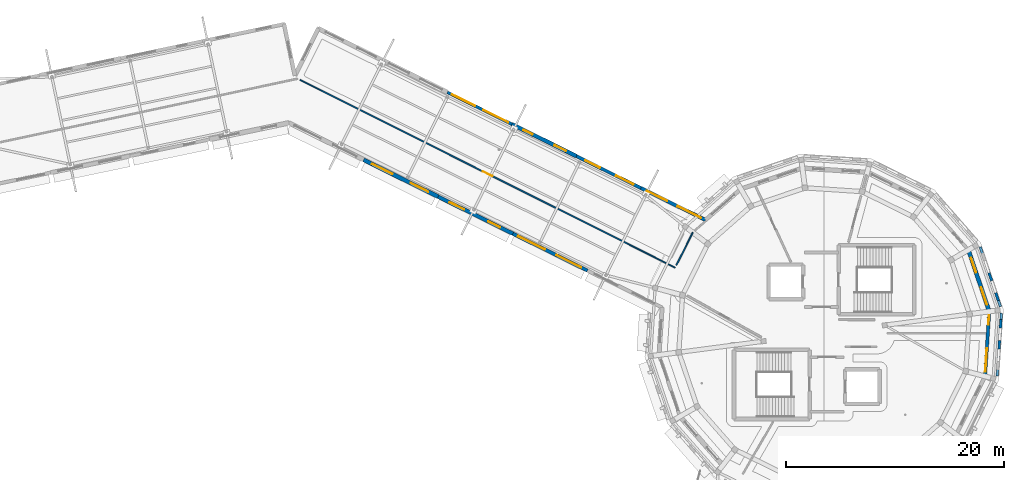
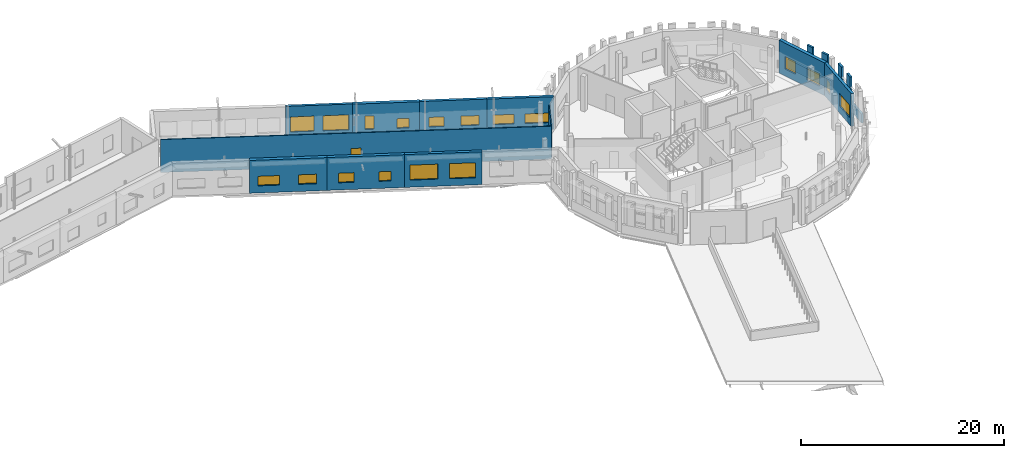
# One storey, part 51 of 68: 18 windows, 17 walls, 1 door, 19 openings.
"""IFC4 building model written with IfcOpenShell, lengths in metres."""

from ifc_helpers import new_model, si_unit, direction, frame, frame_2d, origin, place, context, subcontext, project, spatial, rectangle, extrude, material, layer, layer_set, type_object, element, fill, save


model = new_model("IFC4")

# Units and contexts
model_context = context("Model", 3, precision=1e-05, world=origin(), true_north=direction((0.0, 1.0)))
body_context = subcontext(model_context, "Body", "Model", "MODEL_VIEW")
ifc_project = project(units=[si_unit("LENGTHUNIT", "METRE"), si_unit("AREAUNIT", "SQUARE_METRE"), si_unit("VOLUMEUNIT", "CUBIC_METRE"), si_unit("PLANEANGLEUNIT", "RADIAN"), si_unit("MASSUNIT", "GRAM", prefix="KILO")], contexts=[model_context])

# Site, building, storey
site_placement = place(None, origin())
site = spatial("IfcSite", under=ifc_project, at=site_placement, CompositionType="ELEMENT")
building_placement = place(site_placement, origin())
building = spatial("IfcBuilding", under=site, at=building_placement, Name="Wrenclough Park School", CompositionType="ELEMENT")
storey_placement = place(building_placement, frame((0.0, 0.0, 12.60009765625)))
storey = spatial("IfcBuildingStorey", under=building, at=storey_placement, Name="L03", CompositionType="ELEMENT", Elevation=12.60009765625)

# Walls
ifc_material_1 = material(Name="Perforated open-bond Staffordshire and Manchester brick screen pier", Category="masonry")
ifc_layer_1 = layer(ifc_material_1, 0.2451171875)
ifc_layer_set_1 = layer_set([ifc_layer_1], Name="Perforated open-bond Staffordshire and Manchester brick screen pier")
wall_type_1 = type_object("IfcWallType", Name="ENV-BS-PR245", PredefinedType="ELEMENTEDWALL", material=ifc_layer_set_1)
for number, where, z_axis, x_axis, name in (
    (1, (190.48828125, 96.490478515625, 1.08984375), (0.0, 0.0, 1.0), (-0.321522655386, 0.946901886192, 0.0), "D5 L03 perforated brick screen pier 0847"),
    (2, (189.86865234375, 98.315673828125, 1.08984375), (0.0, 0.0, 1.0), (-0.32123461411, 0.946999642396, 0.0), "D5 L03 perforated brick screen pier 0848"),
    (3, (190.541748046875, 92.06787109375, 1.08984375), (0.0, 0.0, 1.0), (0.065538124105, 0.997850066036, 0.0), "D5 L03 perforated brick screen pier 0882"),
    (4, (190.667724609375, 93.9912109375, 1.08984375), (0.0, 0.0, 1.0), (0.065538124105, 0.997850066036, 0.0), "D5 L03 perforated brick screen pier 0883"),
):
    element("IfcWall", number, at=place(storey_placement, frame(where, z_axis=z_axis, x_axis=x_axis)), inside=storey, type_object=wall_type_1, Name=name, PredefinedType="ELEMENTEDWALL", context=body_context, shape_type="SweptSolid", body=[
        extrude(rectangle(XDim=0.760009765625, YDim=0.2451171875, at=frame_2d((0.3798828125, 0.0))), origin(), (0.0, 0.0, 1.0), 2.85009765625),
    ])
ifc_material_2 = material(Name="Open-bond Manchester multi-stock brick spandrel screen", Category="masonry")
ifc_layer_2 = layer(ifc_material_2, 0.22509765625)
ifc_layer_set_2 = layer_set([ifc_layer_2], Name="Open-bond Manchester multi-stock brick spandrel screen")
wall_type_2 = type_object("IfcWallType", Name="ENV-BS-SP225", PredefinedType="ELEMENTEDWALL", material=ifc_layer_set_2)
wall_1_placement = place(storey_placement, frame((190.67578125, 95.937744140625, 0.0), z_axis=(0.0, 0.0, 1.0), x_axis=(-0.321403850935, 0.946942218197, 0.0)))
element("IfcWall", 5, at=wall_1_placement, inside=storey, type_object=wall_type_2, Name="D5 L03 open-bond brick screen spandrel 0227", PredefinedType="ELEMENTEDWALL", context=body_context, shape_type="SweptSolid", body=[
    extrude(rectangle(XDim=5.7822265625, YDim=0.22509765625, at=frame_2d((2.89111328125, 0.0))), origin(), (0.0, 0.0, 1.0), 1.08984375),
])
wall_2_placement = place(storey_placement, frame((190.37744140625, 89.56201171875, 0.0), z_axis=(0.0, 0.0, 1.0), x_axis=(0.065400850615, 0.997859072584, 0.0)))
element("IfcWall", 6, at=wall_2_placement, inside=storey, type_object=wall_type_2, Name="D5 L03 open-bond brick screen spandrel 0239", PredefinedType="ELEMENTEDWALL", context=body_context, shape_type="SweptSolid", body=[
    extrude(rectangle(XDim=5.782470703125, YDim=0.22509765625, at=frame_2d((2.89111328125, 0.0))), origin(), (0.0, 0.0, 1.0), 1.08984375),
])

# Wall, openings, windows
ifc_material_3 = material(Name="Link wing brick-faced cavity wall Concrete C32/40", Category="masonry")
ifc_layer_3 = layer(ifc_material_3, 0.27490234375)
ifc_layer_set_3 = layer_set([ifc_layer_3], Name="Link wing brick-faced cavity wall Concrete C32/40")
wall_type_3 = type_object("IfcWallType", Name="ENV-EW-275", PredefinedType="SOLIDWALL", material=ifc_layer_set_3)
wall_3_placement = place(storey_placement, frame((139.934814453125, 115.602783203125, 0.0), z_axis=(0.0, 0.0, 1.0), x_axis=(0.896274950862, -0.443498830277, 0.0)))
wall_3 = element("IfcWall", 7, at=wall_3_placement, inside=storey, type_object=wall_type_3, Name="L03 insulated brick external wall 0286", PredefinedType="SOLIDWALL", context=body_context, shape_type="SweptSolid", body=[
    extrude(rectangle(XDim=6.605224609375, YDim=0.27490234375, at=frame_2d((3.302734375, 0.0))), origin(), (0.0, 0.0, 1.0), 3.93994140625),
])
opening_1_placement = place(wall_3_placement, frame((0.476318359375, 0.0, 0.85009765625)))
opening_1 = element("IfcOpeningElement", 8, at=opening_1_placement, cuts=wall_3, Name="Opening WN-34", PredefinedType="OPENING", context=body_context, shape_type="SweptSolid", body=[
    extrude(rectangle(XDim=2.35009765625, YDim=1.800048828125, at=frame_2d((1.175048828125, 0.89990234375))), frame((0.0, 0.1474609375, 0.0), z_axis=(0.0, -1.0, 0.0), x_axis=(1.0, 0.0, 0.0)), (0.0, 0.0, 1.0), 0.294921875),
])
opening_2_placement = place(wall_3_placement, frame((3.67919921875, 0.0, 0.85009765625)))
opening_2 = element("IfcOpeningElement", 9, at=opening_2_placement, cuts=wall_3, Name="Opening WN-35", PredefinedType="OPENING", context=body_context, shape_type="SweptSolid", body=[
    extrude(rectangle(XDim=2.550048828125, YDim=1.800048828125, at=frame_2d((1.27490234375, 0.89990234375))), frame((0.0, 0.1474609375, 0.0), z_axis=(0.0, -1.0, 0.0), x_axis=(1.0, 0.0, 0.0)), (0.0, 0.0, 1.0), 0.294921875),
])
ifc_material_4 = material(Name="Thermally broken aluminium and double-glazed low-e glass", Category="aluminium")
window_type_1 = type_object("IfcWindowType", Name="ENV-WN-34", PartitioningType="DOUBLE_PANEL_VERTICAL", PredefinedType="WINDOW", material=ifc_material_4)
window_1_placement = place(opening_1_placement, origin())
window_1 = element("IfcWindow", 10, at=window_1_placement, inside=storey, type_object=window_type_1, Name="L03 scheduled facade window 0481", OverallHeight=1.800048828125, OverallWidth=2.35009765625, PartitioningType="SINGLE_PANEL", PredefinedType="WINDOW", context=body_context, shape_type="SweptSolid", body=[
    extrude(rectangle(XDim=2.35009765625, YDim=1.800048828125, at=frame_2d((1.175048828125, 0.89990234375))), frame((0.0, 0.030029296875, 0.0), z_axis=(0.0, -1.0, 0.0), x_axis=(1.0, 0.0, 0.0)), (0.0, 0.0, 1.0), 0.06005859375),
])
fill(opening_1, window_1)
window_type_2 = type_object("IfcWindowType", Name="ENV-WN-35", PartitioningType="DOUBLE_PANEL_VERTICAL", PredefinedType="WINDOW", material=ifc_material_4)
window_2_placement = place(opening_2_placement, origin())
window_2 = element("IfcWindow", 11, at=window_2_placement, inside=storey, type_object=window_type_2, Name="L03 scheduled facade window 0482", OverallHeight=1.800048828125, OverallWidth=2.550048828125, PartitioningType="SINGLE_PANEL", PredefinedType="WINDOW", context=body_context, shape_type="SweptSolid", body=[
    extrude(rectangle(XDim=2.550048828125, YDim=1.800048828125, at=frame_2d((1.27490234375, 0.89990234375))), frame((0.0, 0.030029296875, 0.0), z_axis=(0.0, -1.0, 0.0), x_axis=(1.0, 0.0, 0.0)), (0.0, 0.0, 1.0), 0.06005859375),
])
fill(opening_2, window_2)

ifc_material_5 = material(Name="Manchester multi-stock brick and Concrete C32/40 inner leaf", Category="masonry")
ifc_layer_4 = layer(ifc_material_5, 0.300048828125)
ifc_layer_set_4 = layer_set([ifc_layer_4], Name="Manchester multi-stock brick and Concrete C32/40 inner leaf")
wall_type_4 = type_object("IfcWallType", Name="ENV-EW-300", PredefinedType="SOLIDWALL", material=ifc_layer_set_4)
wall_4_placement = place(storey_placement, frame((151.775390625, 109.74365234375, 0.0), z_axis=(0.0, 0.0, 1.0), x_axis=(0.896274950862, -0.443498830277, 0.0)))
wall_4 = element("IfcWall", 12, at=wall_4_placement, inside=storey, type_object=wall_type_4, Name="L03 insulated brick external wall 0288", PredefinedType="SOLIDWALL", context=body_context, shape_type="SweptSolid", body=[
    extrude(rectangle(XDim=6.605224609375, YDim=0.300048828125, at=frame_2d((3.302734375, 0.0))), origin(), (0.0, 0.0, 1.0), 3.93994140625),
])
opening_3_placement = place(wall_4_placement, frame((0.9013671875, 0.0, 0.85009765625)))
opening_3 = element("IfcOpeningElement", 13, at=opening_3_placement, cuts=wall_4, Name="Opening WN-38", PredefinedType="OPENING", context=body_context, shape_type="SweptSolid", body=[
    extrude(rectangle(XDim=1.5, YDim=1.14990234375, at=frame_2d((0.75, 0.574951171875))), frame((0.0, 0.159912109375, 0.0), z_axis=(0.0, -1.0, 0.0), x_axis=(1.0, 0.0, 0.0)), (0.0, 0.0, 1.0), 0.320068359375),
])
opening_4_placement = place(wall_4_placement, frame((4.053955078125, 0.0, 0.85009765625)))
opening_4 = element("IfcOpeningElement", 14, at=opening_4_placement, cuts=wall_4, Name="Opening WN-39", PredefinedType="OPENING", context=body_context, shape_type="SweptSolid", body=[
    extrude(rectangle(XDim=1.800048828125, YDim=1.14990234375, at=frame_2d((0.89990234375, 0.574951171875))), frame((0.0, 0.159912109375, 0.0), z_axis=(0.0, -1.0, 0.0), x_axis=(1.0, 0.0, 0.0)), (0.0, 0.0, 1.0), 0.320068359375),
])
window_type_3 = type_object("IfcWindowType", Name="ENV-WN-38", PartitioningType="DOUBLE_PANEL_VERTICAL", PredefinedType="WINDOW", material=ifc_material_4)
window_3_placement = place(opening_3_placement, origin())
window_3 = element("IfcWindow", 15, at=window_3_placement, inside=storey, type_object=window_type_3, Name="L03 scheduled facade window 0485", OverallHeight=1.14990234375, OverallWidth=1.5, PartitioningType="SINGLE_PANEL", PredefinedType="WINDOW", context=body_context, shape_type="SweptSolid", body=[
    extrude(rectangle(XDim=1.5, YDim=1.14990234375, at=frame_2d((0.75, 0.574951171875))), frame((0.0, 0.030029296875, 0.0), z_axis=(0.0, -1.0, 0.0), x_axis=(1.0, 0.0, 0.0)), (0.0, 0.0, 1.0), 0.06005859375),
])
fill(opening_3, window_3)
window_type_4 = type_object("IfcWindowType", Name="ENV-WN-39", PartitioningType="DOUBLE_PANEL_VERTICAL", PredefinedType="WINDOW", material=ifc_material_4)
window_4_placement = place(opening_4_placement, origin())
window_4 = element("IfcWindow", 16, at=window_4_placement, inside=storey, type_object=window_type_4, Name="L03 scheduled facade window 0486", OverallHeight=1.14990234375, OverallWidth=1.800048828125, PartitioningType="SINGLE_PANEL", PredefinedType="WINDOW", context=body_context, shape_type="SweptSolid", body=[
    extrude(rectangle(XDim=1.800048828125, YDim=1.14990234375, at=frame_2d((0.89990234375, 0.574951171875))), frame((0.0, 0.030029296875, 0.0), z_axis=(0.0, -1.0, 0.0), x_axis=(1.0, 0.0, 0.0)), (0.0, 0.0, 1.0), 0.06005859375),
])
fill(opening_4, window_4)

wall_5_placement = place(storey_placement, frame((189.64697265625, 95.494140625, 0.0), z_axis=(0.0, 0.0, 1.0), x_axis=(-0.065407169492, -0.997858658418, 0.0)))
wall_5 = element("IfcWall", 17, at=wall_5_placement, inside=storey, type_object=wall_type_4, Name="L03 insulated brick external wall 0296", PredefinedType="SOLIDWALL", context=body_context, shape_type="SweptSolid", body=[
    extrude(rectangle(XDim=5.9609375, YDim=0.300048828125, at=frame_2d((2.98046875, 0.0))), origin(), (0.0, 0.0, 1.0), 3.93994140625),
])
opening_5_placement = place(wall_5_placement, frame((0.35009765625, 0.0, 0.85009765625)))
opening_5 = element("IfcOpeningElement", 18, at=opening_5_placement, cuts=wall_5, Name="Opening WN-01", PredefinedType="OPENING", context=body_context, shape_type="SweptSolid", body=[
    extrude(rectangle(XDim=0.85009765625, YDim=1.39990234375, at=frame_2d((0.425048828125, 0.699951171875))), frame((0.0, 0.159912109375, 0.0), z_axis=(0.0, -1.0, 0.0), x_axis=(1.0, 0.0, 0.0)), (0.0, 0.0, 1.0), 0.320068359375),
])
opening_6_placement = place(wall_5_placement, frame((3.395751953125, 0.0, 0.85009765625)))
opening_6 = element("IfcOpeningElement", 19, at=opening_6_placement, cuts=wall_5, Name="Opening WN-54", PredefinedType="OPENING", context=body_context, shape_type="SweptSolid", body=[
    extrude(rectangle(XDim=2.14990234375, YDim=1.5, at=frame_2d((1.074951171875, 0.75))), frame((0.0, 0.159912109375, 0.0), z_axis=(0.0, -1.0, 0.0), x_axis=(1.0, 0.0, 0.0)), (0.0, 0.0, 1.0), 0.320068359375),
])
window_type_5 = type_object("IfcWindowType", Name="ENV-WN-01", PartitioningType="SINGLE_PANEL", PredefinedType="WINDOW", material=ifc_material_4)
window_5_placement = place(opening_5_placement, origin())
window_5 = element("IfcWindow", 20, at=window_5_placement, inside=storey, type_object=window_type_5, Name="L03 scheduled facade window 0500", OverallHeight=1.39990234375, OverallWidth=0.85009765625, PartitioningType="SINGLE_PANEL", PredefinedType="WINDOW", context=body_context, shape_type="SweptSolid", body=[
    extrude(rectangle(XDim=0.85009765625, YDim=1.39990234375, at=frame_2d((0.425048828125, 0.699951171875))), frame((0.0, 0.030029296875, 0.0), z_axis=(0.0, -1.0, 0.0), x_axis=(1.0, 0.0, 0.0)), (0.0, 0.0, 1.0), 0.06005859375),
])
fill(opening_5, window_5)
window_type_6 = type_object("IfcWindowType", Name="ENV-WN-54", PartitioningType="DOUBLE_PANEL_VERTICAL", PredefinedType="WINDOW", material=ifc_material_4)
window_6_placement = place(opening_6_placement, origin())
window_6 = element("IfcWindow", 21, at=window_6_placement, inside=storey, type_object=window_type_6, Name="L03 scheduled facade window 0501", OverallHeight=1.5, OverallWidth=2.14990234375, PartitioningType="SINGLE_PANEL", PredefinedType="WINDOW", context=body_context, shape_type="SweptSolid", body=[
    extrude(rectangle(XDim=2.14990234375, YDim=1.5, at=frame_2d((1.074951171875, 0.75))), frame((0.0, 0.030029296875, 0.0), z_axis=(0.0, -1.0, 0.0), x_axis=(1.0, 0.0, 0.0)), (0.0, 0.0, 1.0), 0.06005859375),
])
fill(opening_6, window_6)

ifc_layer_5 = layer(ifc_material_5, 0.324951171875)
ifc_layer_set_5 = layer_set([ifc_layer_5], Name="Manchester multi-stock brick and Concrete C32/40 inner leaf")
wall_type_5 = type_object("IfcWallType", Name="ENV-EW-325", PredefinedType="SOLIDWALL", material=ifc_layer_set_5)
wall_6_placement = place(storey_placement, frame((152.790771484375, 99.244140625, 0.0), z_axis=(0.0, 0.0, 1.0), x_axis=(-0.896260326182, 0.443528384336, 0.0)))
wall_6 = element("IfcWall", 22, at=wall_6_placement, inside=storey, type_object=wall_type_5, Name="L03 insulated brick external wall 0257", PredefinedType="SOLIDWALL", context=body_context, shape_type="SweptSolid", body=[
    extrude(rectangle(XDim=7.6396484375, YDim=0.324951171875, at=frame_2d((3.81982421875, 0.0))), origin(), (0.0, 0.0, 1.0), 3.93994140625),
])
opening_7_placement = place(wall_6_placement, frame((0.635009765625, 0.0, 0.85009765625)))
opening_7 = element("IfcOpeningElement", 23, at=opening_7_placement, cuts=wall_6, Name="Opening WN-35", PredefinedType="OPENING", context=body_context, shape_type="SweptSolid", body=[
    extrude(rectangle(XDim=2.550048828125, YDim=1.800048828125, at=frame_2d((1.27490234375, 0.89990234375))), frame((0.0, 0.17236328125, 0.0), z_axis=(0.0, -1.0, 0.0), x_axis=(1.0, 0.0, 0.0)), (0.0, 0.0, 1.0), 0.344970703125),
])
opening_8_placement = place(wall_6_placement, frame((4.35498046875, 0.0, 0.85009765625)))
opening_8 = element("IfcOpeningElement", 24, at=opening_8_placement, cuts=wall_6, Name="Opening WN-36", PredefinedType="OPENING", context=body_context, shape_type="SweptSolid", body=[
    extrude(rectangle(XDim=2.75, YDim=1.800048828125, at=frame_2d((1.375, 0.89990234375))), frame((0.0, 0.17236328125, 0.0), z_axis=(0.0, -1.0, 0.0), x_axis=(1.0, 0.0, 0.0)), (0.0, 0.0, 1.0), 0.344970703125),
])
window_7_placement = place(opening_7_placement, origin())
window_7 = element("IfcWindow", 25, at=window_7_placement, inside=storey, type_object=window_type_2, Name="L03 scheduled facade window 0426", OverallHeight=1.800048828125, OverallWidth=2.550048828125, PartitioningType="SINGLE_PANEL", PredefinedType="WINDOW", context=body_context, shape_type="SweptSolid", body=[
    extrude(rectangle(XDim=2.550048828125, YDim=1.800048828125, at=frame_2d((1.27490234375, 0.89990234375))), frame((0.0, 0.030029296875, 0.0), z_axis=(0.0, -1.0, 0.0), x_axis=(1.0, 0.0, 0.0)), (0.0, 0.0, 1.0), 0.06005859375),
])
fill(opening_7, window_7)
window_type_7 = type_object("IfcWindowType", Name="ENV-WN-36", PartitioningType="DOUBLE_PANEL_VERTICAL", PredefinedType="WINDOW", material=ifc_material_4)
window_8_placement = place(opening_8_placement, origin())
window_8 = element("IfcWindow", 26, at=window_8_placement, inside=storey, type_object=window_type_7, Name="L03 scheduled facade window 0427", OverallHeight=1.800048828125, OverallWidth=2.75, PartitioningType="SINGLE_PANEL", PredefinedType="WINDOW", context=body_context, shape_type="SweptSolid", body=[
    extrude(rectangle(XDim=2.75, YDim=1.800048828125, at=frame_2d((1.375, 0.89990234375))), frame((0.0, 0.030029296875, 0.0), z_axis=(0.0, -1.0, 0.0), x_axis=(1.0, 0.0, 0.0)), (0.0, 0.0, 1.0), 0.06005859375),
])
fill(opening_8, window_8)

wall_7_placement = place(storey_placement, frame((157.695556640625, 106.814208984375, 0.0), z_axis=(0.0, 0.0, 1.0), x_axis=(0.896260258603, -0.443528520897, 0.0)))
wall_7 = element("IfcWall", 27, at=wall_7_placement, inside=storey, type_object=wall_type_5, Name="L03 insulated brick external wall 0289", PredefinedType="SOLIDWALL", context=body_context, shape_type="SweptSolid", body=[
    extrude(rectangle(XDim=6.60546875, YDim=0.324951171875, at=frame_2d((3.302734375, 0.0))), origin(), (0.0, 0.0, 1.0), 3.93994140625),
])
opening_9_placement = place(wall_7_placement, frame((0.601318359375, 0.0, 0.85009765625)))
opening_9 = element("IfcOpeningElement", 28, at=opening_9_placement, cuts=wall_7, Name="Opening WN-40", PredefinedType="OPENING", context=body_context, shape_type="SweptSolid", body=[
    extrude(rectangle(XDim=2.10009765625, YDim=1.14990234375, at=frame_2d((1.050048828125, 0.574951171875))), frame((0.0, 0.17236328125, 0.0), z_axis=(0.0, -1.0, 0.0), x_axis=(1.0, 0.0, 0.0)), (0.0, 0.0, 1.0), 0.344970703125),
])
opening_10_placement = place(wall_7_placement, frame((3.754150390625, 0.0, 0.85009765625)))
opening_10 = element("IfcOpeningElement", 29, at=opening_10_placement, cuts=wall_7, Name="Opening WN-41", PredefinedType="OPENING", context=body_context, shape_type="SweptSolid", body=[
    extrude(rectangle(XDim=2.39990234375, YDim=1.14990234375, at=frame_2d((1.199951171875, 0.574951171875))), frame((0.0, 0.17236328125, 0.0), z_axis=(0.0, -1.0, 0.0), x_axis=(1.0, 0.0, 0.0)), (0.0, 0.0, 1.0), 0.344970703125),
])
window_type_8 = type_object("IfcWindowType", Name="ENV-WN-40", PartitioningType="DOUBLE_PANEL_VERTICAL", PredefinedType="WINDOW", material=ifc_material_4)
window_9_placement = place(opening_9_placement, origin())
window_9 = element("IfcWindow", 30, at=window_9_placement, inside=storey, type_object=window_type_8, Name="L03 scheduled facade window 0487", OverallHeight=1.14990234375, OverallWidth=2.10009765625, PartitioningType="SINGLE_PANEL", PredefinedType="WINDOW", context=body_context, shape_type="SweptSolid", body=[
    extrude(rectangle(XDim=2.10009765625, YDim=1.14990234375, at=frame_2d((1.050048828125, 0.574951171875))), frame((0.0, 0.030029296875, 0.0), z_axis=(0.0, -1.0, 0.0), x_axis=(1.0, 0.0, 0.0)), (0.0, 0.0, 1.0), 0.06005859375),
])
fill(opening_9, window_9)
window_type_9 = type_object("IfcWindowType", Name="ENV-WN-41", PartitioningType="DOUBLE_PANEL_VERTICAL", PredefinedType="WINDOW", material=ifc_material_4)
window_10_placement = place(opening_10_placement, origin())
window_10 = element("IfcWindow", 31, at=window_10_placement, inside=storey, type_object=window_type_9, Name="L03 scheduled facade window 0488", OverallHeight=1.14990234375, OverallWidth=2.39990234375, PartitioningType="SINGLE_PANEL", PredefinedType="WINDOW", context=body_context, shape_type="SweptSolid", body=[
    extrude(rectangle(XDim=2.39990234375, YDim=1.14990234375, at=frame_2d((1.199951171875, 0.574951171875))), frame((0.0, 0.030029296875, 0.0), z_axis=(0.0, -1.0, 0.0), x_axis=(1.0, 0.0, 0.0)), (0.0, 0.0, 1.0), 0.06005859375),
])
fill(opening_10, window_10)

ifc_material_6 = material(Name="Staffordshire blue-grey brick and Concrete C35/45 inner leaf", Category="masonry")
ifc_layer_6 = layer(ifc_material_6, 0.35009765625)
ifc_layer_set_6 = layer_set([ifc_layer_6], Name="Staffordshire blue-grey brick and Concrete C35/45 inner leaf")
wall_type_6 = type_object("IfcWallType", Name="ENV-EW-350", PredefinedType="SOLIDWALL", material=ifc_layer_set_6)
wall_8_placement = place(storey_placement, frame((145.943603515625, 102.632568359375, 0.0), z_axis=(0.0, 0.0, 1.0), x_axis=(-0.896266612371, 0.443515681289, 0.0)))
wall_8 = element("IfcWall", 32, at=wall_8_placement, inside=storey, type_object=wall_type_6, Name="L03 insulated brick external wall 0258", PredefinedType="SOLIDWALL", context=body_context, shape_type="SweptSolid", body=[
    extrude(rectangle(XDim=7.639892578125, YDim=0.35009765625, at=frame_2d((3.81982421875, 0.0))), origin(), (0.0, 0.0, 1.0), 3.93994140625),
])
opening_11_placement = place(wall_8_placement, frame((1.31005859375, 0.0, 0.85009765625)))
opening_11 = element("IfcOpeningElement", 33, at=opening_11_placement, cuts=wall_8, Name="Opening WN-37", PredefinedType="OPENING", context=body_context, shape_type="SweptSolid", body=[
    extrude(rectangle(XDim=1.199951171875, YDim=1.14990234375, at=frame_2d((0.60009765625, 0.574951171875))), frame((0.0, 0.18505859375, 0.0), z_axis=(0.0, -1.0, 0.0), x_axis=(1.0, 0.0, 0.0)), (0.0, 0.0, 1.0), 0.3701171875),
])
opening_12_placement = place(wall_8_placement, frame((4.97998046875, 0.0, 0.85009765625)))
opening_12 = element("IfcOpeningElement", 34, at=opening_12_placement, cuts=wall_8, Name="Opening WN-38", PredefinedType="OPENING", context=body_context, shape_type="SweptSolid", body=[
    extrude(rectangle(XDim=1.5, YDim=1.14990234375, at=frame_2d((0.75, 0.574951171875))), frame((0.0, 0.18505859375, 0.0), z_axis=(0.0, -1.0, 0.0), x_axis=(1.0, 0.0, 0.0)), (0.0, 0.0, 1.0), 0.3701171875),
])
window_type_10 = type_object("IfcWindowType", Name="ENV-WN-37", PartitioningType="SINGLE_PANEL", PredefinedType="WINDOW", material=ifc_material_4)
window_11_placement = place(opening_11_placement, origin())
window_11 = element("IfcWindow", 35, at=window_11_placement, inside=storey, type_object=window_type_10, Name="L03 scheduled facade window 0428", OverallHeight=1.14990234375, OverallWidth=1.199951171875, PartitioningType="SINGLE_PANEL", PredefinedType="WINDOW", context=body_context, shape_type="SweptSolid", body=[
    extrude(rectangle(XDim=1.199951171875, YDim=1.14990234375, at=frame_2d((0.60009765625, 0.574951171875))), frame((0.0, 0.030029296875, 0.0), z_axis=(0.0, -1.0, 0.0), x_axis=(1.0, 0.0, 0.0)), (0.0, 0.0, 1.0), 0.06005859375),
])
fill(opening_11, window_11)
window_12_placement = place(opening_12_placement, origin())
window_12 = element("IfcWindow", 36, at=window_12_placement, inside=storey, type_object=window_type_3, Name="L03 scheduled facade window 0429", OverallHeight=1.14990234375, OverallWidth=1.5, PartitioningType="SINGLE_PANEL", PredefinedType="WINDOW", context=body_context, shape_type="SweptSolid", body=[
    extrude(rectangle(XDim=1.5, YDim=1.14990234375, at=frame_2d((0.75, 0.574951171875))), frame((0.0, 0.030029296875, 0.0), z_axis=(0.0, -1.0, 0.0), x_axis=(1.0, 0.0, 0.0)), (0.0, 0.0, 1.0), 0.06005859375),
])
fill(opening_12, window_12)

ifc_material_7 = material(Name="Faceted courtyard brick-cavity wall Concrete C35/45", Category="masonry")
ifc_layer_7 = layer(ifc_material_7, 0.364990234375)
ifc_layer_set_7 = layer_set([ifc_layer_7], Name="Faceted courtyard brick-cavity wall Concrete C35/45")
wall_type_7 = type_object("IfcWallType", Name="ENV-EW-365", PredefinedType="SOLIDWALL", material=ifc_layer_set_7)
wall_9_placement = place(storey_placement, frame((145.85498046875, 112.67333984375, 0.0), z_axis=(0.0, 0.0, 1.0), x_axis=(0.896267529062, -0.443513828814, 0.0)))
wall_9 = element("IfcWall", 37, at=wall_9_placement, inside=storey, type_object=wall_type_7, Name="L03 insulated brick external wall 0287", PredefinedType="SOLIDWALL", context=body_context, shape_type="SweptSolid", body=[
    extrude(rectangle(XDim=6.605712890625, YDim=0.364990234375, at=frame_2d((3.302734375, 0.0))), origin(), (0.0, 0.0, 1.0), 3.93994140625),
])
opening_13_placement = place(wall_9_placement, frame((1.201416015625, 0.0, 0.85009765625)))
opening_13 = element("IfcOpeningElement", 38, at=opening_13_placement, cuts=wall_9, Name="Opening WN-13", PredefinedType="OPENING", context=body_context, shape_type="SweptSolid", body=[
    extrude(rectangle(XDim=0.89990234375, YDim=1.60009765625, at=frame_2d((0.449951171875, 0.800048828125))), frame((0.0, 0.1923828125, 0.0), z_axis=(0.0, -1.0, 0.0), x_axis=(1.0, 0.0, 0.0)), (0.0, 0.0, 1.0), 0.385009765625),
])
opening_14_placement = place(wall_9_placement, frame((4.35400390625, 0.0, 0.85009765625)))
opening_14 = element("IfcOpeningElement", 39, at=opening_14_placement, cuts=wall_9, Name="Opening WN-37", PredefinedType="OPENING", context=body_context, shape_type="SweptSolid", body=[
    extrude(rectangle(XDim=1.199951171875, YDim=1.14990234375, at=frame_2d((0.60009765625, 0.574951171875))), frame((0.0, 0.1923828125, 0.0), z_axis=(0.0, -1.0, 0.0), x_axis=(1.0, 0.0, 0.0)), (0.0, 0.0, 1.0), 0.385009765625),
])
window_type_11 = type_object("IfcWindowType", Name="ENV-WN-13", PartitioningType="SINGLE_PANEL", PredefinedType="WINDOW", material=ifc_material_4)
window_13_placement = place(opening_13_placement, origin())
window_13 = element("IfcWindow", 40, at=window_13_placement, inside=storey, type_object=window_type_11, Name="L03 scheduled facade window 0483", OverallHeight=1.60009765625, OverallWidth=0.89990234375, PartitioningType="SINGLE_PANEL", PredefinedType="WINDOW", context=body_context, shape_type="SweptSolid", body=[
    extrude(rectangle(XDim=0.89990234375, YDim=1.60009765625, at=frame_2d((0.449951171875, 0.800048828125))), frame((0.0, 0.030029296875, 0.0), z_axis=(0.0, -1.0, 0.0), x_axis=(1.0, 0.0, 0.0)), (0.0, 0.0, 1.0), 0.06005859375),
])
fill(opening_13, window_13)
window_14_placement = place(opening_14_placement, origin())
window_14 = element("IfcWindow", 41, at=window_14_placement, inside=storey, type_object=window_type_10, Name="L03 scheduled facade window 0484", OverallHeight=1.14990234375, OverallWidth=1.199951171875, PartitioningType="SINGLE_PANEL", PredefinedType="WINDOW", context=body_context, shape_type="SweptSolid", body=[
    extrude(rectangle(XDim=1.199951171875, YDim=1.14990234375, at=frame_2d((0.60009765625, 0.574951171875))), frame((0.0, 0.030029296875, 0.0), z_axis=(0.0, -1.0, 0.0), x_axis=(1.0, 0.0, 0.0)), (0.0, 0.0, 1.0), 0.06005859375),
])
fill(opening_14, window_14)

wall_10_placement = place(storey_placement, frame((187.73095703125, 101.138916015625, 0.0), z_axis=(0.0, 0.0, 1.0), x_axis=(0.321420298269, -0.94693663561, 0.0)))
wall_10 = element("IfcWall", 42, at=wall_10_placement, inside=storey, type_object=wall_type_7, Name="L03 insulated brick external wall 0295", PredefinedType="SOLIDWALL", context=body_context, shape_type="SweptSolid", body=[
    extrude(rectangle(XDim=5.961181640625, YDim=0.364990234375, at=frame_2d((2.98046875, 0.0))), origin(), (0.0, 0.0, 1.0), 3.93994140625),
])
opening_15_placement = place(wall_10_placement, frame((0.790283203125, 0.0, 0.85009765625)))
opening_15 = element("IfcOpeningElement", 43, at=opening_15_placement, cuts=wall_10, Name="Opening WN-51", PredefinedType="OPENING", context=body_context, shape_type="SweptSolid", body=[
    extrude(rectangle(XDim=1.39990234375, YDim=1.5, at=frame_2d((0.699951171875, 0.75))), frame((0.0, 0.1923828125, 0.0), z_axis=(0.0, -1.0, 0.0), x_axis=(1.0, 0.0, 0.0)), (0.0, 0.0, 1.0), 0.385009765625),
])
opening_16_placement = place(wall_10_placement, frame((3.64599609375, 0.0, 0.85009765625)))
opening_16 = element("IfcOpeningElement", 44, at=opening_16_placement, cuts=wall_10, Name="Opening WN-52", PredefinedType="OPENING", context=body_context, shape_type="SweptSolid", body=[
    extrude(rectangle(XDim=1.64990234375, YDim=1.5, at=frame_2d((0.824951171875, 0.75))), frame((0.0, 0.1923828125, 0.0), z_axis=(0.0, -1.0, 0.0), x_axis=(1.0, 0.0, 0.0)), (0.0, 0.0, 1.0), 0.385009765625),
])
window_type_12 = type_object("IfcWindowType", Name="ENV-WN-51", PartitioningType="SINGLE_PANEL", PredefinedType="WINDOW", material=ifc_material_4)
window_15_placement = place(opening_15_placement, origin())
window_15 = element("IfcWindow", 45, at=window_15_placement, inside=storey, type_object=window_type_12, Name="L03 scheduled facade window 0498", OverallHeight=1.5, OverallWidth=1.39990234375, PartitioningType="SINGLE_PANEL", PredefinedType="WINDOW", context=body_context, shape_type="SweptSolid", body=[
    extrude(rectangle(XDim=1.39990234375, YDim=1.5, at=frame_2d((0.699951171875, 0.75))), frame((0.0, 0.030029296875, 0.0), z_axis=(0.0, -1.0, 0.0), x_axis=(1.0, 0.0, 0.0)), (0.0, 0.0, 1.0), 0.06005859375),
])
fill(opening_15, window_15)
window_type_13 = type_object("IfcWindowType", Name="ENV-WN-52", PartitioningType="DOUBLE_PANEL_VERTICAL", PredefinedType="WINDOW", material=ifc_material_4)
window_16_placement = place(opening_16_placement, origin())
window_16 = element("IfcWindow", 46, at=window_16_placement, inside=storey, type_object=window_type_13, Name="L03 scheduled facade window 0499", OverallHeight=1.5, OverallWidth=1.64990234375, PartitioningType="SINGLE_PANEL", PredefinedType="WINDOW", context=body_context, shape_type="SweptSolid", body=[
    extrude(rectangle(XDim=1.64990234375, YDim=1.5, at=frame_2d((0.824951171875, 0.75))), frame((0.0, 0.030029296875, 0.0), z_axis=(0.0, -1.0, 0.0), x_axis=(1.0, 0.0, 0.0)), (0.0, 0.0, 1.0), 0.06005859375),
])
fill(opening_16, window_16)

ifc_material_8 = material(Name="Manchester multi-stock brick and Concrete C35/45 inner leaf", Category="masonry")
ifc_layer_8 = layer(ifc_material_8, 0.3798828125)
ifc_layer_set_8 = layer_set([ifc_layer_8], Name="Manchester multi-stock brick and Concrete C35/45 inner leaf")
wall_type_8 = type_object("IfcWallType", Name="ENV-EW-380", PredefinedType="SOLIDWALL", material=ifc_layer_set_8)
wall_11_placement = place(storey_placement, frame((139.09619140625, 106.02099609375, 0.0), z_axis=(0.0, 0.0, 1.0), x_axis=(-0.896279314912, 0.44349001078, 0.0)))
wall_11 = element("IfcWall", 47, at=wall_11_placement, inside=storey, type_object=wall_type_8, Name="L03 insulated brick external wall 0259", PredefinedType="SOLIDWALL", context=body_context, shape_type="SweptSolid", body=[
    extrude(rectangle(XDim=7.639892578125, YDim=0.3798828125, at=frame_2d((3.81982421875, 0.0))), origin(), (0.0, 0.0, 1.0), 3.93994140625),
])
opening_17_placement = place(wall_11_placement, frame((1.010009765625, 0.0, 0.85009765625)))
opening_17 = element("IfcOpeningElement", 48, at=opening_17_placement, cuts=wall_11, Name="Opening WN-39", PredefinedType="OPENING", context=body_context, shape_type="SweptSolid", body=[
    extrude(rectangle(XDim=1.800048828125, YDim=1.14990234375, at=frame_2d((0.89990234375, 0.574951171875))), frame((0.0, 0.199951171875, 0.0), z_axis=(0.0, -1.0, 0.0), x_axis=(1.0, 0.0, 0.0)), (0.0, 0.0, 1.0), 0.39990234375),
])
opening_18_placement = place(wall_11_placement, frame((4.679931640625, 0.0, 0.85009765625)))
opening_18 = element("IfcOpeningElement", 49, at=opening_18_placement, cuts=wall_11, Name="Opening WN-40", PredefinedType="OPENING", context=body_context, shape_type="SweptSolid", body=[
    extrude(rectangle(XDim=2.10009765625, YDim=1.14990234375, at=frame_2d((1.050048828125, 0.574951171875))), frame((0.0, 0.199951171875, 0.0), z_axis=(0.0, -1.0, 0.0), x_axis=(1.0, 0.0, 0.0)), (0.0, 0.0, 1.0), 0.39990234375),
])
window_17_placement = place(opening_17_placement, origin())
window_17 = element("IfcWindow", 50, at=window_17_placement, inside=storey, type_object=window_type_4, Name="L03 scheduled facade window 0430", OverallHeight=1.14990234375, OverallWidth=1.800048828125, PartitioningType="SINGLE_PANEL", PredefinedType="WINDOW", context=body_context, shape_type="SweptSolid", body=[
    extrude(rectangle(XDim=1.800048828125, YDim=1.14990234375, at=frame_2d((0.89990234375, 0.574951171875))), frame((0.0, 0.030029296875, 0.0), z_axis=(0.0, -1.0, 0.0), x_axis=(1.0, 0.0, 0.0)), (0.0, 0.0, 1.0), 0.06005859375),
])
fill(opening_17, window_17)
window_18_placement = place(opening_18_placement, origin())
window_18 = element("IfcWindow", 51, at=window_18_placement, inside=storey, type_object=window_type_8, Name="L03 scheduled facade window 0431", OverallHeight=1.14990234375, OverallWidth=2.10009765625, PartitioningType="SINGLE_PANEL", PredefinedType="WINDOW", context=body_context, shape_type="SweptSolid", body=[
    extrude(rectangle(XDim=2.10009765625, YDim=1.14990234375, at=frame_2d((1.050048828125, 0.574951171875))), frame((0.0, 0.030029296875, 0.0), z_axis=(0.0, -1.0, 0.0), x_axis=(1.0, 0.0, 0.0)), (0.0, 0.0, 1.0), 0.06005859375),
])
fill(opening_18, window_18)

# Wall, opening, door
ifc_material_9 = material(Name="Lightweight fire-rated store partition", Category="gypsum")
ifc_layer_9 = layer(ifc_material_9, 0.110107421875)
ifc_layer_set_9 = layer_set([ifc_layer_9], Name="Lightweight fire-rated store partition")
wall_type_9 = type_object("IfcWallType", Name="INT-PW-110", PredefinedType="PARTITIONING", material=ifc_layer_set_9)
wall_12_placement = place(storey_placement, frame((126.419189453125, 116.73291015625, 0.0), z_axis=(0.0, 0.0, 1.0), x_axis=(0.894319323199, -0.447429266088, 0.0)))
wall_12 = element("IfcWall", 52, at=wall_12_placement, inside=storey, type_object=wall_type_9, Name="L03 internal partition 0489", PredefinedType="PARTITIONING", context=body_context, shape_type="SweptSolid", body=[
    extrude(rectangle(XDim=38.48583984375, YDim=0.110107421875, at=frame_2d((19.242919921875, 0.0))), origin(), (0.0, 0.0, 1.0), 3.949951171875),
])
opening_19_placement = place(wall_12_placement, frame((18.742919921875, 0.0, 0.0)))
opening_19 = element("IfcOpeningElement", 53, at=opening_19_placement, cuts=wall_12, Name="Opening DR-L03-103", PredefinedType="OPENING", context=body_context, shape_type="SweptSolid", body=[
    extrude(rectangle(XDim=1.0, YDim=2.10009765625, at=frame_2d((0.5, 1.050048828125))), frame((0.0, 0.06494140625, 0.0), z_axis=(0.0, -1.0, 0.0), x_axis=(1.0, 0.0, 0.0)), (0.0, 0.0, 1.0), 0.130126953125),
])
ifc_material_10 = material(Name="Humanities classroom vision door assembly", Category="wood")
door_type = type_object("IfcDoorType", Name="INT-DR-CL100", OperationType="NOTDEFINED", PredefinedType="DOOR", material=ifc_material_10)
door_placement = place(opening_19_placement, origin())
door = element("IfcDoor", 54, at=door_placement, inside=storey, type_object=door_type, Name="Sixth Form Tutorial Classroom L03 door DR-L03-103", OperationType="SINGLE_SWING_RIGHT", OverallHeight=2.10009765625, OverallWidth=1.0, PredefinedType="DOOR", context=body_context, shape_type="SweptSolid", body=[
    extrude(rectangle(XDim=1.0, YDim=2.10009765625, at=frame_2d((0.5, 1.050048828125))), frame((0.0, 0.02490234375, 0.0), z_axis=(0.0, -1.0, 0.0), x_axis=(1.0, 0.0, 0.0)), (0.0, 0.0, 1.0), 0.050048828125),
])
fill(opening_19, door)

# Wall
wall_13_placement = place(storey_placement, frame((160.948974609375, 99.737060546875, 0.0), z_axis=(0.0, 0.0, 1.0), x_axis=(0.444424699134, 0.895816212624, 0.0)))
element("IfcWall", 55, at=wall_13_placement, inside=storey, type_object=wall_type_9, Name="L03 internal partition 0490", PredefinedType="PARTITIONING", context=body_context, shape_type="SweptSolid", body=[
    extrude(rectangle(XDim=3.3642578125, YDim=0.110107421875, at=frame_2d((1.68212890625, 0.0))), origin(), (0.0, 0.0, 1.0), 3.949951171875),
])

save(model, "model.ifc")
